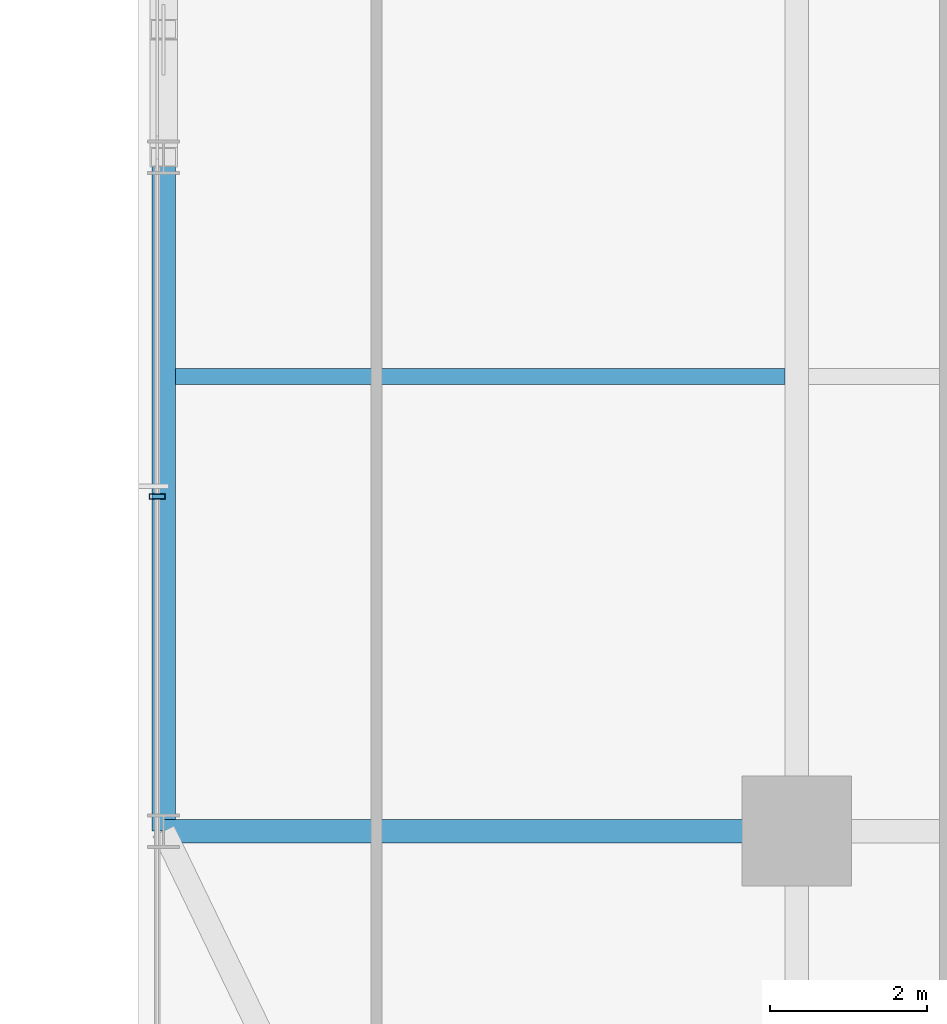
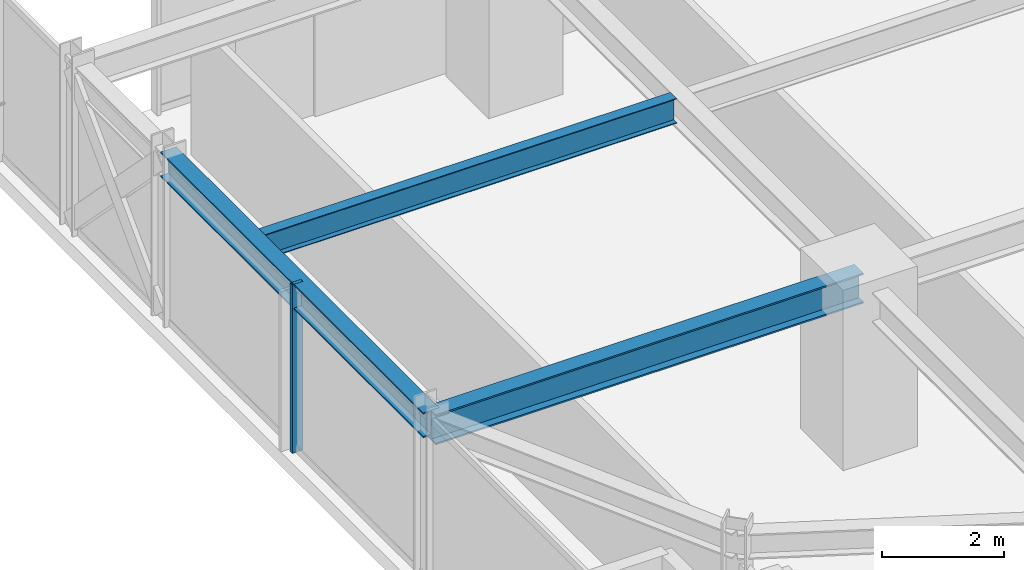
# One storey, part 5 of 42: 3 beams, 1 member, 1 element without a shape of its own.
"""IFC4 building model written with IfcOpenShell, lengths in metres."""

from ifc_helpers import new_model, si_unit, direction, frame, origin, origin_2d, place, context, subcontext, project, spatial, hollow_rectangle, i_section, extrude, source, transform, mapped, material, material_profile, profile_set, type_object, element, aggregate, save


model = new_model("IFC4")

# Units and contexts
model_context = context("Model", 3, precision=1e-05, world=origin(), true_north=direction((0.0, 1.0)))
body_context = subcontext(model_context, "Body", "Model", "MODEL_VIEW")
ifc_project = project(units=[si_unit("LENGTHUNIT", "METRE"), si_unit("AREAUNIT", "SQUARE_METRE"), si_unit("VOLUMEUNIT", "CUBIC_METRE"), si_unit("PLANEANGLEUNIT", "RADIAN"), si_unit("MASSUNIT", "GRAM", prefix="KILO")], contexts=[model_context])

# Site, building, storey
site_placement = place(None, origin())
site = spatial("IfcSite", under=ifc_project, at=site_placement, CompositionType="ELEMENT")
building_placement = place(site_placement, origin())
building = spatial("IfcBuilding", under=site, at=building_placement, Name="Nahalor Promenade Grand Hotel", CompositionType="ELEMENT")
storey_placement = place(building_placement, frame((0.0, 0.0, 61.60009765625)))
storey = spatial("IfcBuildingStorey", under=building, at=storey_placement, Name="L14", CompositionType="ELEMENT", Elevation=61.60009765625)

# Beams
ifc_material_1 = material(Name="Steel S355JR", Category="steel")
ifc_material_profile_1 = material_profile(ifc_material_1, i_section(OverallWidth=0.3, OverallDepth=0.5, WebThickness=0.0145, FlangeThickness=0.028, at=origin_2d()), Name="HEB 500")
ifc_profile_set_1 = profile_set([ifc_material_profile_1], Name="Steel S355JR")
beam_type_1 = type_object("IfcBeamType", Name="Beam-Spandrel-HEB500", PredefinedType="SPANDREL", material=ifc_profile_set_1)
shared_shape_1 = source(origin(), body_context, "Body", "SweptSolid", [
    extrude(i_section(OverallWidth=0.3, OverallDepth=0.5, WebThickness=0.0145, FlangeThickness=0.028, at=origin_2d()), origin(), (0.0, 0.0, 1.0), 8.60009765625),
])
beam_1_placement = place(storey_placement, frame((-25.080078125, -17.0, 3.119873046875), z_axis=(0.0, 1.0, 0.0), x_axis=(-1.0, 0.0, 0.0)))
element("IfcBeam", 1, at=beam_1_placement, inside=storey, type_object=beam_type_1, Name="BM-L14-SP-W-0", PredefinedType="SPANDREL", context=body_context, shape_type="MappedRepresentation", body=[
    mapped(shared_shape_1, transform((0.0, 0.0, 0.0), scale=1.0)),
])
ifc_material_profile_2 = material_profile(ifc_material_1, i_section(OverallWidth=0.3, OverallDepth=0.6, WebThickness=0.0155, FlangeThickness=0.03, at=origin_2d()), Name="HEB 600")
ifc_profile_set_2 = profile_set([ifc_material_profile_2], Name="Steel S355JR")
beam_type_2 = type_object("IfcBeamType", Name="Beam-Girder-HEB600", PredefinedType="BEAM", material=ifc_profile_set_2)
shared_shape_2 = source(origin(), body_context, "Body", "SweptSolid", [
    extrude(i_section(OverallWidth=0.3, OverallDepth=0.6, WebThickness=0.0155, FlangeThickness=0.03, at=origin_2d()), origin(), (0.0, 0.0, 1.0), 8.080078125),
])
beam_2_placement = place(storey_placement, frame((-25.080078125, -17.0, 3.06982421875), z_axis=(1.0, 0.0, 0.0), x_axis=(0.0, 1.0, 0.0)))
element("IfcBeam", 2, at=beam_2_placement, inside=storey, type_object=beam_type_2, Name="BM-L14-GX-0-0", PredefinedType="BEAM", context=body_context, shape_type="MappedRepresentation", body=[
    mapped(shared_shape_2, transform((0.0, 0.0, 0.0), scale=1.0)),
])
ifc_material_profile_3 = material_profile(ifc_material_1, i_section(OverallWidth=0.2, OverallDepth=0.5, WebThickness=0.0102, FlangeThickness=0.016, at=origin_2d()), Name="IPE 500")
ifc_profile_set_3 = profile_set([ifc_material_profile_3], Name="Steel S355JR")
beam_type_3 = type_object("IfcBeamType", Name="Beam-Joist-IPE500", PredefinedType="JOIST", material=ifc_profile_set_3)
shared_shape_3 = source(origin(), body_context, "Body", "SweptSolid", [
    extrude(i_section(OverallWidth=0.2, OverallDepth=0.5, WebThickness=0.0102, FlangeThickness=0.016, at=origin_2d()), origin(), (0.0, 0.0, 1.0), 7.780029296875),
])
beam_3_placement = place(storey_placement, frame((-24.929931640625, -11.199951171875, 3.119873046875), z_axis=(1.0, 0.0, 0.0), x_axis=(0.0, 1.0, 0.0)))
element("IfcBeam", 3, at=beam_3_placement, inside=storey, type_object=beam_type_3, Name="BM-L14-JSW-0-0", PredefinedType="JOIST", context=body_context, shape_type="MappedRepresentation", body=[
    mapped(shared_shape_3, transform((0.0, 0.0, 0.0), scale=1.0)),
])

# Curtain wall, member
ifc_material_2 = material(Name="Anodised Bronze Aluminium EN AW-6063 T6", Category="aluminium")
curtain_wall_type = type_object("IfcCurtainWallType", Name="CW3 Elliptical-Void Collar Unitised Curtain Wall", PredefinedType="USERDEFINED", material=ifc_material_2)
curtain_wall_placement = place(storey_placement, origin())
curtain_wall = element("IfcCurtainWall", 4, at=curtain_wall_placement, inside=storey, type_object=curtain_wall_type, Name="L14 Curtain Wall CW-L14-W-1", ObjectType="UNITISED_CURTAIN_WALL", PredefinedType="USERDEFINED")
ifc_material_profile_4 = material_profile(ifc_material_2, hollow_rectangle(XDim=0.07, YDim=0.2, WallThickness=0.005, at=origin_2d()), Name="CWM 70x200x5")
ifc_profile_set_4 = profile_set([ifc_material_profile_4], Name="Anodised Bronze Aluminium EN AW-6063 T6")
member_type = type_object("IfcMemberType", Name="CWM3 Void Collar Mullion 70x200", PredefinedType="MULLION", material=ifc_profile_set_4)
shared_shape_4 = source(origin(), body_context, "Body", "SweptSolid", [
    extrude(hollow_rectangle(XDim=0.07, YDim=0.2, WallThickness=0.005, at=origin_2d()), origin(), (0.0, 0.0, 1.0), 3.369873046875),
])
member_placement = place(storey_placement, frame((-25.159912109375, -12.72998046875, 0.0), z_axis=(0.0, 0.0, 1.0), x_axis=(0.0, 1.0, 0.0)))
member = element("IfcMember", 5, at=member_placement, type_object=member_type, Name="CW-L14-W-1 Mullion 1", PredefinedType="MULLION", context=body_context, shape_type="MappedRepresentation", body=[
    mapped(shared_shape_4, transform((0.0, 0.0, 0.0), scale=1.0)),
])
aggregate(curtain_wall, [member])

save(model, "model.ifc")
